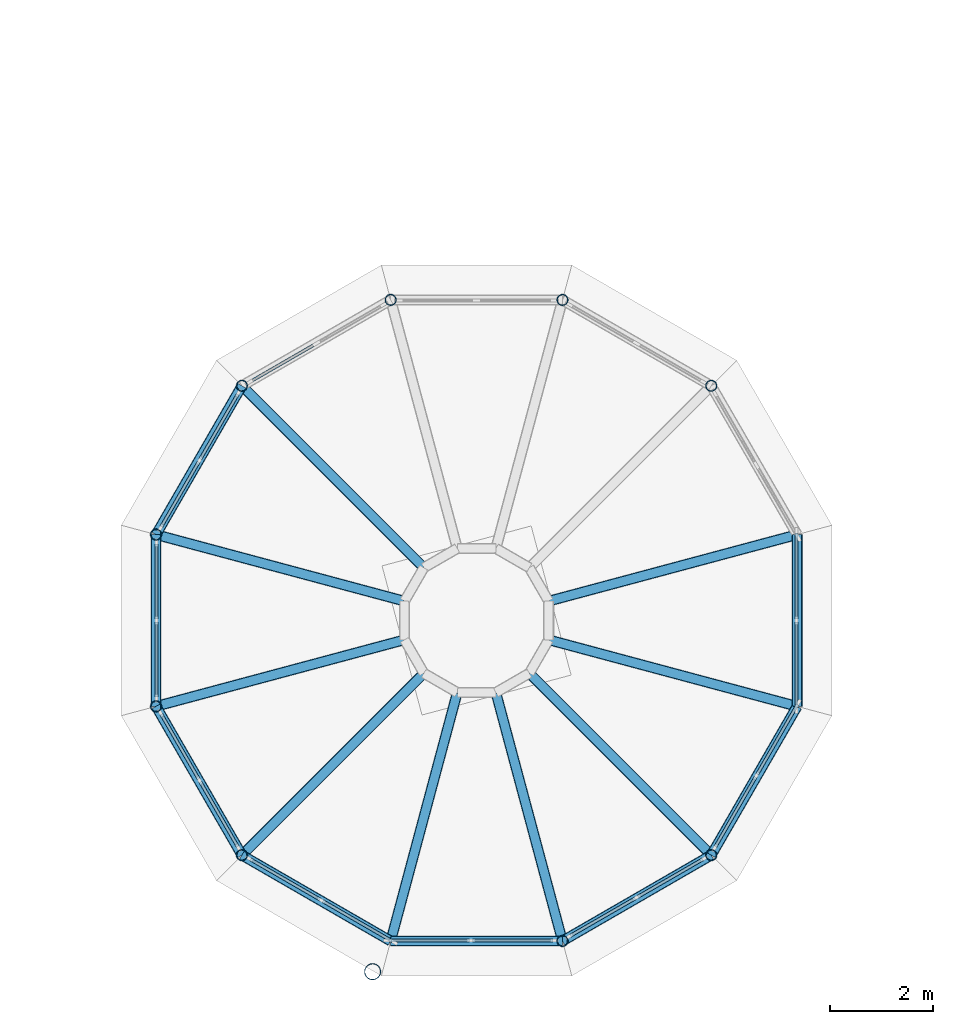
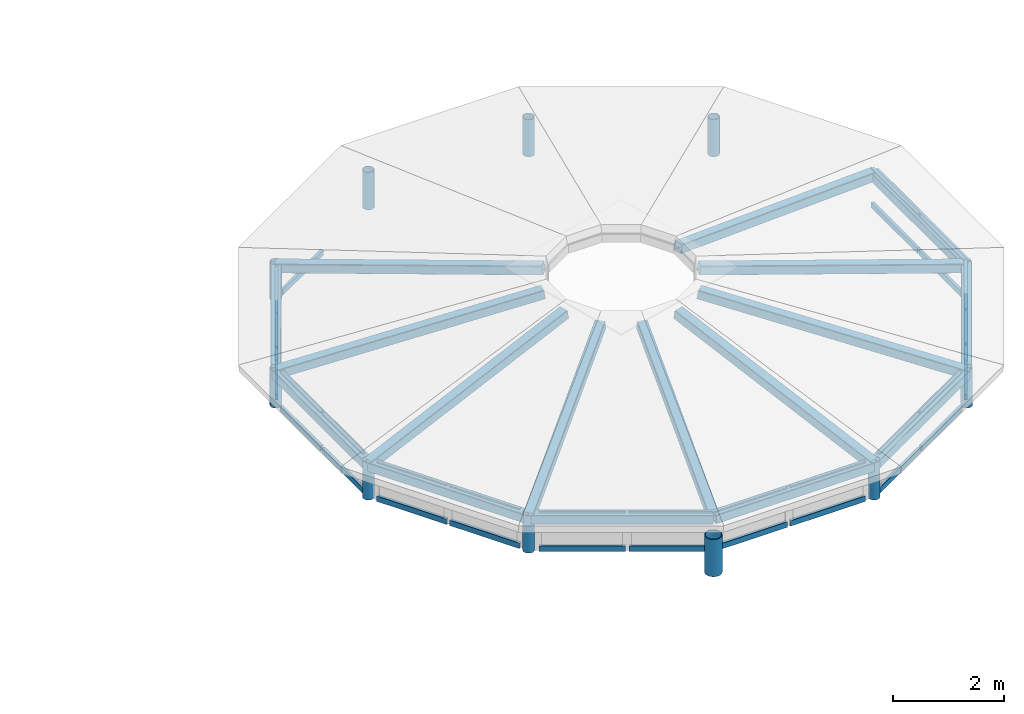
# One storey, part 2 of 18: 50 members, 10 columns, 9 elements without a shape of their own.
"""IFC4 building model written with IfcOpenShell, lengths in metres."""

from ifc_helpers import new_model, si_unit, direction, frame, origin, origin_2d, place, context, subcontext, project, spatial, rectangle, hollow_rectangle, hollow_circle, extrude, material, material_profile, profile_set, type_object, element, aggregate, save


model = new_model("IFC4")

# Units and contexts
model_context = context("Model", 3, precision=1e-05, world=origin(), true_north=direction((0.0, 1.0)))
body_context = subcontext(model_context, "Body", "Model", "MODEL_VIEW")
ifc_project = project(units=[si_unit("LENGTHUNIT", "METRE"), si_unit("AREAUNIT", "SQUARE_METRE"), si_unit("VOLUMEUNIT", "CUBIC_METRE"), si_unit("PLANEANGLEUNIT", "RADIAN"), si_unit("MASSUNIT", "GRAM", prefix="KILO")], contexts=[model_context])

# Site, building, storey
site_placement = place(None, origin())
site = spatial("IfcSite", under=ifc_project, at=site_placement, CompositionType="ELEMENT")
building_placement = place(site_placement, origin())
building = spatial("IfcBuilding", under=site, at=building_placement, Name="Wrenclough Park School", CompositionType="ELEMENT")
storey_placement = place(building_placement, frame((0.0, 0.0, 20.800048828125)))
storey = spatial("IfcBuildingStorey", under=building, at=storey_placement, Name="L05", CompositionType="ELEMENT", Elevation=20.800048828125)

# Columns
ifc_material_1 = material(Name="Structural steel S355", Category="steel")
ifc_material_profile_1 = material_profile(ifc_material_1, hollow_circle(Radius=0.109619140625, WallThickness=0.012451171875, at=origin_2d()), Name="CHS 219.1x12.5")
ifc_profile_set_1 = profile_set([ifc_material_profile_1], Name="Structural steel S355")
column_type_1 = type_object("IfcColumnType", Name="STR-COL-CHS219", PredefinedType="COLUMN", material=ifc_profile_set_1)
for number, where, z_axis, x_axis, name in (
    (1, (160.7607421875, 43.7607421875, 0.0), (0.0, 0.0, 1.0), (-0.707106781187, 0.707106781187, 0.0), "D1-SH L05 column D1SH-02"),
    (2, (157.869384765625, 45.43017578125, 0.0), (0.0, 0.0, 1.0), (-0.965925826289, 0.258819045103, 0.0), "D1-SH L05 column D1SH-03"),
    (3, (154.530517578125, 45.43017578125, 0.0), (0.0, 0.0, 1.0), (-0.965925826289, -0.258819045103, 0.0), "D1-SH L05 column D1SH-04"),
    (4, (151.63916015625, 43.7607421875, 0.0), (0.0, 0.0, 1.0), (-0.707106781187, -0.707106781187, 0.0), "D1-SH L05 column D1SH-05"),
    (5, (149.9697265625, 40.869384765625, 0.0), (0.0, 0.0, 1.0), (-0.258819045103, -0.965925826289, 0.0), "D1-SH L05 column D1SH-06"),
    (6, (149.9697265625, 37.530517578125, 0.0), (0.0, 0.0, 1.0), (0.258819045103, -0.965925826289, 0.0), "D1-SH L05 column D1SH-07"),
    (7, (151.63916015625, 34.63916015625, 0.0), (0.0, 0.0, 1.0), (0.707106781187, -0.707106781187, 0.0), "D1-SH L05 column D1SH-08"),
    (8, (157.869384765625, 32.9697265625, 0.0), (0.0, 0.0, 1.0), (0.965925826289, 0.258819045103, 0.0), "D1-SH L05 column D1SH-10"),
    (9, (160.7607421875, 34.63916015625, 0.0), (0.0, 0.0, 1.0), (0.707106781187, 0.707106781187, 0.0), "D1-SH L05 column D1SH-11"),
):
    element("IfcColumn", number, at=place(storey_placement, frame(where, z_axis=z_axis, x_axis=x_axis)), inside=storey, type_object=column_type_1, Name=name, PredefinedType="COLUMN", context=body_context, shape_type="SweptSolid", body=[
        extrude(hollow_circle(Radius=0.109619140625, WallThickness=0.012451171875, at=origin_2d()), origin(), (0.0, 0.0, 1.0), 0.820068359375),
    ])
ifc_material_profile_2 = material_profile(ifc_material_1, hollow_circle(Radius=0.161865234375, WallThickness=0.01611328125, at=origin_2d()), Name="CHS 323.9x16.0")
ifc_profile_set_2 = profile_set([ifc_material_profile_2], Name="Structural steel S355")
column_type_2 = type_object("IfcColumnType", Name="STR-COL-CHS324", PredefinedType="COLUMN", material=ifc_profile_set_2)
column_placement = place(storey_placement, frame((154.1796875, 32.3740234375, 0.0), z_axis=(0.0, 0.0, 1.0), x_axis=(0.970295726276, -0.2419218956, 0.0)))
element("IfcColumn", 10, at=column_placement, inside=storey, type_object=column_type_2, Name="D1 L05 column D1HR-1-2", PredefinedType="COLUMN", context=body_context, shape_type="SweptSolid", body=[
    extrude(hollow_circle(Radius=0.161865234375, WallThickness=0.01611328125, at=origin_2d()), origin(), (0.0, 0.0, 1.0), 0.820068359375),
])

# Curtain wall, member
ifc_material_2 = material(Name="Thermally broken aluminium and low-e glass curtain wall", Category="aluminium")
curtain_wall_type = type_object("IfcCurtainWallType", Name="ENV-CW-16", PredefinedType="USERDEFINED", material=ifc_material_2)
curtain_wall_1_placement = place(storey_placement, origin())
curtain_wall_1 = element("IfcCurtainWall", 11, at=curtain_wall_1_placement, inside=storey, type_object=curtain_wall_type, Name="D1-SH cylindrical white-glazed stair-head curtain wall 193", ObjectType="CURTAIN WALL", PredefinedType="USERDEFINED")
ifc_material_3 = material(Name="Thermally broken anodised aluminium", Category="aluminium")
ifc_material_profile_3 = material_profile(ifc_material_3, rectangle(XDim=0.06005859375, YDim=0.1201171875, at=origin_2d()), Name="AL TRANSOM 60x120")
ifc_profile_set_3 = profile_set([ifc_material_profile_3], Name="Thermally broken anodised aluminium")
member_type_1 = type_object("IfcMemberType", Name="ENV-CWT-1", PredefinedType="USERDEFINED", material=ifc_profile_set_3)
member_1_placement = place(storey_placement, frame((153.06494140625, 44.5703125, 0.030029296875), z_axis=(-0.866003949776, -0.500037157592, 0.0), x_axis=(0.500037157592, -0.866003949776, 0.0)))
member_1 = element("IfcMember", 12, at=member_1_placement, type_object=member_type_1, Name="CW-16 transom 2.1", ObjectType="TRANSOM", PredefinedType="USERDEFINED", context=body_context, shape_type="SweptSolid", body=[
    extrude(rectangle(XDim=0.06005859375, YDim=0.1201171875, at=origin_2d()), origin(), (0.0, 0.0, 1.0), 1.455078125),
])
aggregate(curtain_wall_1, [member_1])

# Curtain wall, members
curtain_wall_2_placement = place(storey_placement, origin())
curtain_wall_2 = element("IfcCurtainWall", 13, at=curtain_wall_2_placement, inside=storey, type_object=curtain_wall_type, Name="D1-SH cylindrical white-glazed stair-head curtain wall 194", ObjectType="CURTAIN WALL", PredefinedType="USERDEFINED")
member_2_placement = place(storey_placement, frame((151.557373046875, 43.59521484375, 0.030029296875), z_axis=(-0.499964504253, -0.866045896294, 0.0), x_axis=(0.866045896294, -0.499964504253, 0.0)))
member_2 = element("IfcMember", 14, at=member_2_placement, type_object=member_type_1, Name="CW-16 transom 1.1", ObjectType="TRANSOM", PredefinedType="USERDEFINED", context=body_context, shape_type="SweptSolid", body=[
    extrude(rectangle(XDim=0.06005859375, YDim=0.1201171875, at=origin_2d()), origin(), (0.0, 0.0, 1.0), 1.455078125),
])
member_3_placement = place(storey_placement, frame((151.557373046875, 43.59521484375, 0.7900390625), z_axis=(-0.499964504253, -0.866045896294, 0.0), x_axis=(0.866045896294, -0.499964504253, 0.0)))
member_3 = element("IfcMember", 15, at=member_3_placement, type_object=member_type_1, Name="CW-16 transom 1.2", ObjectType="TRANSOM", PredefinedType="USERDEFINED", context=body_context, shape_type="SweptSolid", body=[
    extrude(rectangle(XDim=0.06005859375, YDim=0.1201171875, at=origin_2d()), origin(), (0.0, 0.0, 1.0), 1.455078125),
])
member_4_placement = place(storey_placement, frame((150.7998046875, 42.283203125, 0.030029296875), z_axis=(-0.499964504253, -0.866045896294, 0.0), x_axis=(0.866045896294, -0.499964504253, 0.0)))
member_4 = element("IfcMember", 16, at=member_4_placement, type_object=member_type_1, Name="CW-16 transom 2.1", ObjectType="TRANSOM", PredefinedType="USERDEFINED", context=body_context, shape_type="SweptSolid", body=[
    extrude(rectangle(XDim=0.06005859375, YDim=0.1201171875, at=origin_2d()), origin(), (0.0, 0.0, 1.0), 1.455078125),
])
member_5_placement = place(storey_placement, frame((150.7998046875, 42.283203125, 0.7900390625), z_axis=(-0.499964504253, -0.866045896294, 0.0), x_axis=(0.866045896294, -0.499964504253, 0.0)))
member_5 = element("IfcMember", 17, at=member_5_placement, type_object=member_type_1, Name="CW-16 transom 2.2", ObjectType="TRANSOM", PredefinedType="USERDEFINED", context=body_context, shape_type="SweptSolid", body=[
    extrude(rectangle(XDim=0.06005859375, YDim=0.1201171875, at=origin_2d()), origin(), (0.0, 0.0, 1.0), 1.455078125),
])
aggregate(curtain_wall_2, [member_2, member_3, member_4, member_5])

curtain_wall_3_placement = place(storey_placement, origin())
curtain_wall_3 = element("IfcCurtainWall", 18, at=curtain_wall_3_placement, inside=storey, type_object=curtain_wall_type, Name="D1-SH cylindrical white-glazed stair-head curtain wall 195", ObjectType="CURTAIN WALL", PredefinedType="USERDEFINED")
member_6_placement = place(storey_placement, frame((149.981689453125, 40.6845703125, 0.030029296875), z_axis=(0.0, -1.0, 0.0), x_axis=(1.0, 0.0, 0.0)))
member_6 = element("IfcMember", 19, at=member_6_placement, type_object=member_type_1, Name="CW-16 transom 1.1", ObjectType="TRANSOM", PredefinedType="USERDEFINED", context=body_context, shape_type="SweptSolid", body=[
    extrude(rectangle(XDim=0.06005859375, YDim=0.1201171875, at=origin_2d()), origin(), (0.0, 0.0, 1.0), 1.45458984375),
])
member_7_placement = place(storey_placement, frame((149.981689453125, 40.6845703125, 0.7900390625), z_axis=(0.0, -1.0, 0.0), x_axis=(1.0, 0.0, 0.0)))
member_7 = element("IfcMember", 20, at=member_7_placement, type_object=member_type_1, Name="CW-16 transom 1.2", ObjectType="TRANSOM", PredefinedType="USERDEFINED", context=body_context, shape_type="SweptSolid", body=[
    extrude(rectangle(XDim=0.06005859375, YDim=0.1201171875, at=origin_2d()), origin(), (0.0, 0.0, 1.0), 1.45458984375),
])
member_8_placement = place(storey_placement, frame((149.981689453125, 39.169921875, 0.030029296875), z_axis=(0.0, -1.0, 0.0), x_axis=(1.0, 0.0, 0.0)))
member_8 = element("IfcMember", 21, at=member_8_placement, type_object=member_type_1, Name="CW-16 transom 2.1", ObjectType="TRANSOM", PredefinedType="USERDEFINED", context=body_context, shape_type="SweptSolid", body=[
    extrude(rectangle(XDim=0.06005859375, YDim=0.1201171875, at=origin_2d()), origin(), (0.0, 0.0, 1.0), 1.454345703125),
])
member_9_placement = place(storey_placement, frame((149.981689453125, 39.169921875, 0.7900390625), z_axis=(0.0, -1.0, 0.0), x_axis=(1.0, 0.0, 0.0)))
member_9 = element("IfcMember", 22, at=member_9_placement, type_object=member_type_1, Name="CW-16 transom 2.2", ObjectType="TRANSOM", PredefinedType="USERDEFINED", context=body_context, shape_type="SweptSolid", body=[
    extrude(rectangle(XDim=0.06005859375, YDim=0.1201171875, at=origin_2d()), origin(), (0.0, 0.0, 1.0), 1.454345703125),
])
aggregate(curtain_wall_3, [member_6, member_7, member_8, member_9])

curtain_wall_4_placement = place(storey_placement, origin())
curtain_wall_4 = element("IfcCurtainWall", 23, at=curtain_wall_4_placement, inside=storey, type_object=curtain_wall_type, Name="D1-SH cylindrical white-glazed stair-head curtain wall 196", ObjectType="CURTAIN WALL", PredefinedType="USERDEFINED")
member_10_placement = place(storey_placement, frame((150.072265625, 37.376953125, 0.030029296875), z_axis=(0.500037157592, -0.866003949776, 0.0), x_axis=(0.866003949776, 0.500037157592, 0.0)))
member_10 = element("IfcMember", 24, at=member_10_placement, type_object=member_type_1, Name="CW-16 transom 1.1", ObjectType="TRANSOM", PredefinedType="USERDEFINED", context=body_context, shape_type="SweptSolid", body=[
    extrude(rectangle(XDim=0.06005859375, YDim=0.1201171875, at=origin_2d()), origin(), (0.0, 0.0, 1.0), 1.455078125),
])
member_11_placement = place(storey_placement, frame((150.072265625, 37.376953125, 0.7900390625), z_axis=(0.500037157592, -0.866003949776, 0.0), x_axis=(0.866003949776, 0.500037157592, 0.0)))
member_11 = element("IfcMember", 25, at=member_11_placement, type_object=member_type_1, Name="CW-16 transom 1.2", ObjectType="TRANSOM", PredefinedType="USERDEFINED", context=body_context, shape_type="SweptSolid", body=[
    extrude(rectangle(XDim=0.06005859375, YDim=0.1201171875, at=origin_2d()), origin(), (0.0, 0.0, 1.0), 1.455078125),
])
member_12_placement = place(storey_placement, frame((150.829833984375, 36.06494140625, 0.030029296875), z_axis=(0.500037157592, -0.866003949776, 0.0), x_axis=(0.866003949776, 0.500037157592, 0.0)))
member_12 = element("IfcMember", 26, at=member_12_placement, type_object=member_type_1, Name="CW-16 transom 2.1", ObjectType="TRANSOM", PredefinedType="USERDEFINED", context=body_context, shape_type="SweptSolid", body=[
    extrude(rectangle(XDim=0.06005859375, YDim=0.1201171875, at=origin_2d()), origin(), (0.0, 0.0, 1.0), 1.455078125),
])
member_13_placement = place(storey_placement, frame((150.829833984375, 36.06494140625, 0.7900390625), z_axis=(0.500037157592, -0.866003949776, 0.0), x_axis=(0.866003949776, 0.500037157592, 0.0)))
member_13 = element("IfcMember", 27, at=member_13_placement, type_object=member_type_1, Name="CW-16 transom 2.2", ObjectType="TRANSOM", PredefinedType="USERDEFINED", context=body_context, shape_type="SweptSolid", body=[
    extrude(rectangle(XDim=0.06005859375, YDim=0.1201171875, at=origin_2d()), origin(), (0.0, 0.0, 1.0), 1.455078125),
])
aggregate(curtain_wall_4, [member_10, member_11, member_12, member_13])

curtain_wall_5_placement = place(storey_placement, origin())
curtain_wall_5 = element("IfcCurtainWall", 28, at=curtain_wall_5_placement, inside=storey, type_object=curtain_wall_type, Name="D1-SH cylindrical white-glazed stair-head curtain wall 197", ObjectType="CURTAIN WALL", PredefinedType="USERDEFINED")
member_14_placement = place(storey_placement, frame((151.804931640625, 34.557373046875, 0.030029296875), z_axis=(0.866003425329, -0.50003806587, 0.0), x_axis=(0.50003806587, 0.866003425329, 0.0)))
member_14 = element("IfcMember", 29, at=member_14_placement, type_object=member_type_1, Name="CW-16 transom 1.1", ObjectType="TRANSOM", PredefinedType="USERDEFINED", context=body_context, shape_type="SweptSolid", body=[
    extrude(rectangle(XDim=0.06005859375, YDim=0.1201171875, at=origin_2d()), origin(), (0.0, 0.0, 1.0), 1.5625),
])
member_15_placement = place(storey_placement, frame((151.804931640625, 34.557373046875, 0.7900390625), z_axis=(0.866003425329, -0.50003806587, 0.0), x_axis=(0.50003806587, 0.866003425329, 0.0)))
member_15 = element("IfcMember", 30, at=member_15_placement, type_object=member_type_1, Name="CW-16 transom 1.2", ObjectType="TRANSOM", PredefinedType="USERDEFINED", context=body_context, shape_type="SweptSolid", body=[
    extrude(rectangle(XDim=0.06005859375, YDim=0.1201171875, at=origin_2d()), origin(), (0.0, 0.0, 1.0), 1.5625),
])
member_16_placement = place(storey_placement, frame((153.2099609375, 33.74609375, 0.030029296875), z_axis=(0.866003425329, -0.50003806587, 0.0), x_axis=(0.50003806587, 0.866003425329, 0.0)))
member_16 = element("IfcMember", 31, at=member_16_placement, type_object=member_type_1, Name="CW-16 transom 2.1", ObjectType="TRANSOM", PredefinedType="USERDEFINED", context=body_context, shape_type="SweptSolid", body=[
    extrude(rectangle(XDim=0.06005859375, YDim=0.1201171875, at=origin_2d()), origin(), (0.0, 0.0, 1.0), 1.5625),
])
member_17_placement = place(storey_placement, frame((153.2099609375, 33.74609375, 0.7900390625), z_axis=(0.866003425329, -0.50003806587, 0.0), x_axis=(0.50003806587, 0.866003425329, 0.0)))
member_17 = element("IfcMember", 32, at=member_17_placement, type_object=member_type_1, Name="CW-16 transom 2.2", ObjectType="TRANSOM", PredefinedType="USERDEFINED", context=body_context, shape_type="SweptSolid", body=[
    extrude(rectangle(XDim=0.06005859375, YDim=0.1201171875, at=origin_2d()), origin(), (0.0, 0.0, 1.0), 1.5625),
])
aggregate(curtain_wall_5, [member_14, member_15, member_16, member_17])

curtain_wall_6_placement = place(storey_placement, origin())
curtain_wall_6 = element("IfcCurtainWall", 33, at=curtain_wall_6_placement, inside=storey, type_object=curtain_wall_type, Name="D1-SH cylindrical white-glazed stair-head curtain wall 198", ObjectType="CURTAIN WALL", PredefinedType="USERDEFINED")
member_18_placement = place(storey_placement, frame((154.5, 32.981689453125, 0.030029296875), z_axis=(1.0, 0.0, 0.0), x_axis=(0.0, 1.0, 0.0)))
member_18 = element("IfcMember", 34, at=member_18_placement, type_object=member_type_1, Name="CW-16 transom 1.1", ObjectType="TRANSOM", PredefinedType="USERDEFINED", context=body_context, shape_type="SweptSolid", body=[
    extrude(rectangle(XDim=0.06005859375, YDim=0.1201171875, at=origin_2d()), origin(), (0.0, 0.0, 1.0), 1.562255859375),
])
member_19_placement = place(storey_placement, frame((154.5, 32.981689453125, 0.7900390625), z_axis=(1.0, 0.0, 0.0), x_axis=(0.0, 1.0, 0.0)))
member_19 = element("IfcMember", 35, at=member_19_placement, type_object=member_type_1, Name="CW-16 transom 1.2", ObjectType="TRANSOM", PredefinedType="USERDEFINED", context=body_context, shape_type="SweptSolid", body=[
    extrude(rectangle(XDim=0.06005859375, YDim=0.1201171875, at=origin_2d()), origin(), (0.0, 0.0, 1.0), 1.562255859375),
])
member_20_placement = place(storey_placement, frame((156.122314453125, 32.981689453125, 0.030029296875), z_axis=(1.0, 0.0, 0.0), x_axis=(0.0, 1.0, 0.0)))
member_20 = element("IfcMember", 36, at=member_20_placement, type_object=member_type_1, Name="CW-16 transom 2.1", ObjectType="TRANSOM", PredefinedType="USERDEFINED", context=body_context, shape_type="SweptSolid", body=[
    extrude(rectangle(XDim=0.06005859375, YDim=0.1201171875, at=origin_2d()), origin(), (0.0, 0.0, 1.0), 1.562255859375),
])
member_21_placement = place(storey_placement, frame((156.122314453125, 32.981689453125, 0.7900390625), z_axis=(1.0, 0.0, 0.0), x_axis=(0.0, 1.0, 0.0)))
member_21 = element("IfcMember", 37, at=member_21_placement, type_object=member_type_1, Name="CW-16 transom 2.2", ObjectType="TRANSOM", PredefinedType="USERDEFINED", context=body_context, shape_type="SweptSolid", body=[
    extrude(rectangle(XDim=0.06005859375, YDim=0.1201171875, at=origin_2d()), origin(), (0.0, 0.0, 1.0), 1.562255859375),
])
aggregate(curtain_wall_6, [member_18, member_19, member_20, member_21])

curtain_wall_7_placement = place(storey_placement, origin())
curtain_wall_7 = element("IfcCurtainWall", 38, at=curtain_wall_7_placement, inside=storey, type_object=curtain_wall_type, Name="D1-SH cylindrical white-glazed stair-head curtain wall 199", ObjectType="CURTAIN WALL", PredefinedType="USERDEFINED")
member_22_placement = place(storey_placement, frame((158.02294921875, 33.072265625, 0.030029296875), z_axis=(0.866045896294, 0.499964504253, 0.0), x_axis=(-0.499964504253, 0.866045896294, 0.0)))
member_22 = element("IfcMember", 39, at=member_22_placement, type_object=member_type_1, Name="CW-16 transom 1.1", ObjectType="TRANSOM", PredefinedType="USERDEFINED", context=body_context, shape_type="SweptSolid", body=[
    extrude(rectangle(XDim=0.06005859375, YDim=0.1201171875, at=origin_2d()), origin(), (0.0, 0.0, 1.0), 1.455078125),
])
member_23_placement = place(storey_placement, frame((158.02294921875, 33.072265625, 0.7900390625), z_axis=(0.866045896294, 0.499964504253, 0.0), x_axis=(-0.499964504253, 0.866045896294, 0.0)))
member_23 = element("IfcMember", 40, at=member_23_placement, type_object=member_type_1, Name="CW-16 transom 1.2", ObjectType="TRANSOM", PredefinedType="USERDEFINED", context=body_context, shape_type="SweptSolid", body=[
    extrude(rectangle(XDim=0.06005859375, YDim=0.1201171875, at=origin_2d()), origin(), (0.0, 0.0, 1.0), 1.455078125),
])
member_24_placement = place(storey_placement, frame((159.3349609375, 33.829833984375, 0.030029296875), z_axis=(0.866045896294, 0.499964504253, 0.0), x_axis=(-0.499964504253, 0.866045896294, 0.0)))
member_24 = element("IfcMember", 41, at=member_24_placement, type_object=member_type_1, Name="CW-16 transom 2.1", ObjectType="TRANSOM", PredefinedType="USERDEFINED", context=body_context, shape_type="SweptSolid", body=[
    extrude(rectangle(XDim=0.06005859375, YDim=0.1201171875, at=origin_2d()), origin(), (0.0, 0.0, 1.0), 1.455078125),
])
member_25_placement = place(storey_placement, frame((159.3349609375, 33.829833984375, 0.7900390625), z_axis=(0.866045896294, 0.499964504253, 0.0), x_axis=(-0.499964504253, 0.866045896294, 0.0)))
member_25 = element("IfcMember", 42, at=member_25_placement, type_object=member_type_1, Name="CW-16 transom 2.2", ObjectType="TRANSOM", PredefinedType="USERDEFINED", context=body_context, shape_type="SweptSolid", body=[
    extrude(rectangle(XDim=0.06005859375, YDim=0.1201171875, at=origin_2d()), origin(), (0.0, 0.0, 1.0), 1.455078125),
])
aggregate(curtain_wall_7, [member_22, member_23, member_24, member_25])

curtain_wall_8_placement = place(storey_placement, origin())
curtain_wall_8 = element("IfcCurtainWall", 43, at=curtain_wall_8_placement, inside=storey, type_object=curtain_wall_type, Name="D1-SH cylindrical white-glazed stair-head curtain wall 200", ObjectType="CURTAIN WALL", PredefinedType="USERDEFINED")
member_26_placement = place(storey_placement, frame((160.8427734375, 34.804931640625, 0.030029296875), z_axis=(0.50003806587, 0.866003425329, 0.0), x_axis=(-0.866003425329, 0.50003806587, 0.0)))
member_26 = element("IfcMember", 44, at=member_26_placement, type_object=member_type_1, Name="CW-16 transom 1.1", ObjectType="TRANSOM", PredefinedType="USERDEFINED", context=body_context, shape_type="SweptSolid", body=[
    extrude(rectangle(XDim=0.06005859375, YDim=0.1201171875, at=origin_2d()), origin(), (0.0, 0.0, 1.0), 1.5625),
])
member_27_placement = place(storey_placement, frame((160.8427734375, 34.804931640625, 0.7900390625), z_axis=(0.50003806587, 0.866003425329, 0.0), x_axis=(-0.866003425329, 0.50003806587, 0.0)))
member_27 = element("IfcMember", 45, at=member_27_placement, type_object=member_type_1, Name="CW-16 transom 1.2", ObjectType="TRANSOM", PredefinedType="USERDEFINED", context=body_context, shape_type="SweptSolid", body=[
    extrude(rectangle(XDim=0.06005859375, YDim=0.1201171875, at=origin_2d()), origin(), (0.0, 0.0, 1.0), 1.5625),
])
member_28_placement = place(storey_placement, frame((161.654052734375, 36.2099609375, 0.030029296875), z_axis=(0.50003806587, 0.866003425329, 0.0), x_axis=(-0.866003425329, 0.50003806587, 0.0)))
member_28 = element("IfcMember", 46, at=member_28_placement, type_object=member_type_1, Name="CW-16 transom 2.1", ObjectType="TRANSOM", PredefinedType="USERDEFINED", context=body_context, shape_type="SweptSolid", body=[
    extrude(rectangle(XDim=0.06005859375, YDim=0.1201171875, at=origin_2d()), origin(), (0.0, 0.0, 1.0), 1.5625),
])
member_29_placement = place(storey_placement, frame((161.654052734375, 36.2099609375, 0.7900390625), z_axis=(0.50003806587, 0.866003425329, 0.0), x_axis=(-0.866003425329, 0.50003806587, 0.0)))
member_29 = element("IfcMember", 47, at=member_29_placement, type_object=member_type_1, Name="CW-16 transom 2.2", ObjectType="TRANSOM", PredefinedType="USERDEFINED", context=body_context, shape_type="SweptSolid", body=[
    extrude(rectangle(XDim=0.06005859375, YDim=0.1201171875, at=origin_2d()), origin(), (0.0, 0.0, 1.0), 1.5625),
])
aggregate(curtain_wall_8, [member_26, member_27, member_28, member_29])

curtain_wall_9_placement = place(storey_placement, origin())
curtain_wall_9 = element("IfcCurtainWall", 48, at=curtain_wall_9_placement, inside=storey, type_object=curtain_wall_type, Name="D1-SH cylindrical white-glazed stair-head curtain wall 201", ObjectType="CURTAIN WALL", PredefinedType="USERDEFINED")
member_30_placement = place(storey_placement, frame((162.418212890625, 37.5, 0.030029296875), z_axis=(0.0, 1.0, 0.0), x_axis=(-1.0, 0.0, 0.0)))
member_30 = element("IfcMember", 49, at=member_30_placement, type_object=member_type_1, Name="CW-16 transom 1.1", ObjectType="TRANSOM", PredefinedType="USERDEFINED", context=body_context, shape_type="SweptSolid", body=[
    extrude(rectangle(XDim=0.06005859375, YDim=0.1201171875, at=origin_2d()), origin(), (0.0, 0.0, 1.0), 1.669921875),
])
member_31_placement = place(storey_placement, frame((162.418212890625, 37.5, 0.7900390625), z_axis=(0.0, 1.0, 0.0), x_axis=(-1.0, 0.0, 0.0)))
member_31 = element("IfcMember", 50, at=member_31_placement, type_object=member_type_1, Name="CW-16 transom 1.2", ObjectType="TRANSOM", PredefinedType="USERDEFINED", context=body_context, shape_type="SweptSolid", body=[
    extrude(rectangle(XDim=0.06005859375, YDim=0.1201171875, at=origin_2d()), origin(), (0.0, 0.0, 1.0), 1.669921875),
])
member_32_placement = place(storey_placement, frame((162.418212890625, 39.22998046875, 0.030029296875), z_axis=(0.0, 1.0, 0.0), x_axis=(-1.0, 0.0, 0.0)))
member_32 = element("IfcMember", 51, at=member_32_placement, type_object=member_type_1, Name="CW-16 transom 2.1", ObjectType="TRANSOM", PredefinedType="USERDEFINED", context=body_context, shape_type="SweptSolid", body=[
    extrude(rectangle(XDim=0.06005859375, YDim=0.1201171875, at=origin_2d()), origin(), (0.0, 0.0, 1.0), 1.669921875),
])
member_33_placement = place(storey_placement, frame((162.418212890625, 39.22998046875, 0.7900390625), z_axis=(0.0, 1.0, 0.0), x_axis=(-1.0, 0.0, 0.0)))
member_33 = element("IfcMember", 52, at=member_33_placement, type_object=member_type_1, Name="CW-16 transom 2.2", ObjectType="TRANSOM", PredefinedType="USERDEFINED", context=body_context, shape_type="SweptSolid", body=[
    extrude(rectangle(XDim=0.06005859375, YDim=0.1201171875, at=origin_2d()), origin(), (0.0, 0.0, 1.0), 1.669921875),
])
aggregate(curtain_wall_9, [member_30, member_31, member_32, member_33])

# Members
ifc_material_profile_4 = material_profile(ifc_material_1, hollow_rectangle(XDim=0.199951171875, YDim=0.199951171875, WallThickness=0.012451171875, InnerFilletRadius=0.012451171875, OuterFilletRadius=0.018798828125, at=origin_2d()), Name="SHS 200x200x12.5")
ifc_profile_set_4 = profile_set([ifc_material_profile_4], Name="Structural steel S355")
member_type_2 = type_object("IfcMemberType", Name="STR-MEM-LANTERN", PredefinedType="MEMBER", material=ifc_profile_set_4)
member_34_placement = place(storey_placement, frame((162.43017578125, 40.869384765625, 0.719970703125), z_axis=(-0.951946366321, -0.25509390799, 0.16948514317), x_axis=(0.258838592599, -0.965920588341, 0.0)))
element("IfcMember", 53, at=member_34_placement, inside=storey, type_object=member_type_2, Name="D1-SH radial lantern rafter 1", PredefinedType="MEMBER", context=body_context, shape_type="SweptSolid", body=[
    extrude(hollow_rectangle(XDim=0.199951171875, YDim=0.199951171875, WallThickness=0.012451171875, InnerFilletRadius=0.012451171875, OuterFilletRadius=0.018798828125, at=origin_2d()), origin(), (0.0, 0.0, 1.0), 5.073486328125),
])
member_35_placement = place(storey_placement, frame((151.63916015625, 43.7607421875, 0.719970703125), z_axis=(-0.500024172624, -0.866011447264, 0.0), x_axis=(0.866011447264, -0.500024172624, 0.0)))
element("IfcMember", 54, at=member_35_placement, inside=storey, type_object=member_type_2, Name="D1-SH cylindrical eave ring member 5", PredefinedType="MEMBER", context=body_context, shape_type="SweptSolid", body=[
    extrude(hollow_rectangle(XDim=0.199951171875, YDim=0.199951171875, WallThickness=0.012451171875, InnerFilletRadius=0.012451171875, OuterFilletRadius=0.018798828125, at=origin_2d()), origin(), (0.0, 0.0, 1.0), 3.338623046875),
])
member_36_placement = place(storey_placement, frame((151.63916015625, 43.7607421875, 0.719970703125), z_axis=(0.696900935218, -0.696852813347, 0.169485229515), x_axis=(0.707082366624, 0.707131194907, 0.0)))
element("IfcMember", 55, at=member_36_placement, inside=storey, type_object=member_type_2, Name="D1-SH radial lantern rafter 5", PredefinedType="MEMBER", context=body_context, shape_type="SweptSolid", body=[
    extrude(hollow_rectangle(XDim=0.199951171875, YDim=0.199951171875, WallThickness=0.012451171875, InnerFilletRadius=0.012451171875, OuterFilletRadius=0.018798828125, at=origin_2d()), origin(), (0.0, 0.0, 1.0), 5.073486328125),
])
member_37_placement = place(storey_placement, frame((149.9697265625, 40.869384765625, 0.719970703125), z_axis=(0.0, -1.0, 0.0), x_axis=(1.0, 0.0, 0.0)))
element("IfcMember", 56, at=member_37_placement, inside=storey, type_object=member_type_2, Name="D1-SH cylindrical eave ring member 6", PredefinedType="MEMBER", context=body_context, shape_type="SweptSolid", body=[
    extrude(hollow_rectangle(XDim=0.199951171875, YDim=0.199951171875, WallThickness=0.012451171875, InnerFilletRadius=0.012451171875, OuterFilletRadius=0.018798828125, at=origin_2d()), origin(), (0.0, 0.0, 1.0), 3.3388671875),
])
member_38_placement = place(storey_placement, frame((149.9697265625, 40.869384765625, 0.719970703125), z_axis=(0.951946366321, -0.25509390799, 0.16948514317), x_axis=(0.258838592599, 0.965920588341, 0.0)))
element("IfcMember", 57, at=member_38_placement, inside=storey, type_object=member_type_2, Name="D1-SH radial lantern rafter 6", PredefinedType="MEMBER", context=body_context, shape_type="SweptSolid", body=[
    extrude(hollow_rectangle(XDim=0.199951171875, YDim=0.199951171875, WallThickness=0.012451171875, InnerFilletRadius=0.012451171875, OuterFilletRadius=0.018798828125, at=origin_2d()), origin(), (0.0, 0.0, 1.0), 5.073486328125),
])
member_39_placement = place(storey_placement, frame((149.9697265625, 37.530517578125, 0.719970703125), z_axis=(0.500024172624, -0.866011447264, 0.0), x_axis=(0.866011447264, 0.500024172624, 0.0)))
element("IfcMember", 58, at=member_39_placement, inside=storey, type_object=member_type_2, Name="D1-SH cylindrical eave ring member 7", PredefinedType="MEMBER", context=body_context, shape_type="SweptSolid", body=[
    extrude(hollow_rectangle(XDim=0.199951171875, YDim=0.199951171875, WallThickness=0.012451171875, InnerFilletRadius=0.012451171875, OuterFilletRadius=0.018798828125, at=origin_2d()), origin(), (0.0, 0.0, 1.0), 3.338623046875),
])
member_40_placement = place(storey_placement, frame((149.9697265625, 37.530517578125, 0.719970703125), z_axis=(0.951946366321, 0.25509390799, 0.16948514317), x_axis=(-0.258838592599, 0.965920588341, 0.0)))
element("IfcMember", 59, at=member_40_placement, inside=storey, type_object=member_type_2, Name="D1-SH radial lantern rafter 7", PredefinedType="MEMBER", context=body_context, shape_type="SweptSolid", body=[
    extrude(hollow_rectangle(XDim=0.199951171875, YDim=0.199951171875, WallThickness=0.012451171875, InnerFilletRadius=0.012451171875, OuterFilletRadius=0.018798828125, at=origin_2d()), origin(), (0.0, 0.0, 1.0), 5.073486328125),
])
member_41_placement = place(storey_placement, frame((151.63916015625, 34.63916015625, 0.719970703125), z_axis=(0.866011447264, -0.500024172624, 0.0), x_axis=(0.500024172624, 0.866011447264, 0.0)))
element("IfcMember", 60, at=member_41_placement, inside=storey, type_object=member_type_2, Name="D1-SH cylindrical eave ring member 8", PredefinedType="MEMBER", context=body_context, shape_type="SweptSolid", body=[
    extrude(hollow_rectangle(XDim=0.199951171875, YDim=0.199951171875, WallThickness=0.012451171875, InnerFilletRadius=0.012451171875, OuterFilletRadius=0.018798828125, at=origin_2d()), origin(), (0.0, 0.0, 1.0), 3.338623046875),
])
member_42_placement = place(storey_placement, frame((151.63916015625, 34.63916015625, 0.719970703125), z_axis=(0.696877565807, 0.696877565807, 0.16947954611), x_axis=(-0.707106781187, 0.707106781187, 0.0)))
element("IfcMember", 61, at=member_42_placement, inside=storey, type_object=member_type_2, Name="D1-SH radial lantern rafter 8", PredefinedType="MEMBER", context=body_context, shape_type="SweptSolid", body=[
    extrude(hollow_rectangle(XDim=0.199951171875, YDim=0.199951171875, WallThickness=0.012451171875, InnerFilletRadius=0.012451171875, OuterFilletRadius=0.018798828125, at=origin_2d()), origin(), (0.0, 0.0, 1.0), 5.073486328125),
])
member_43_placement = place(storey_placement, frame((154.530517578125, 32.9697265625, 0.719970703125), z_axis=(1.0, 0.0, 0.0), x_axis=(0.0, 1.0, 0.0)))
element("IfcMember", 62, at=member_43_placement, inside=storey, type_object=member_type_2, Name="D1-SH cylindrical eave ring member 9", PredefinedType="MEMBER", context=body_context, shape_type="SweptSolid", body=[
    extrude(hollow_rectangle(XDim=0.199951171875, YDim=0.199951171875, WallThickness=0.012451171875, InnerFilletRadius=0.012451171875, OuterFilletRadius=0.018798828125, at=origin_2d()), origin(), (0.0, 0.0, 1.0), 3.3388671875),
])
member_44_placement = place(storey_placement, frame((154.530517578125, 32.9697265625, 0.719970703125), z_axis=(0.25509390799, 0.951946366321, 0.16948514317), x_axis=(-0.965920588341, 0.258838592599, 0.0)))
element("IfcMember", 63, at=member_44_placement, inside=storey, type_object=member_type_2, Name="D1-SH radial lantern rafter 9", PredefinedType="MEMBER", context=body_context, shape_type="SweptSolid", body=[
    extrude(hollow_rectangle(XDim=0.199951171875, YDim=0.199951171875, WallThickness=0.012451171875, InnerFilletRadius=0.012451171875, OuterFilletRadius=0.018798828125, at=origin_2d()), origin(), (0.0, 0.0, 1.0), 5.073486328125),
])
member_45_placement = place(storey_placement, frame((157.869384765625, 32.9697265625, 0.719970703125), z_axis=(0.866011447264, 0.500024172624, 0.0), x_axis=(-0.500024172624, 0.866011447264, 0.0)))
element("IfcMember", 64, at=member_45_placement, inside=storey, type_object=member_type_2, Name="D1-SH cylindrical eave ring member 10", PredefinedType="MEMBER", context=body_context, shape_type="SweptSolid", body=[
    extrude(hollow_rectangle(XDim=0.199951171875, YDim=0.199951171875, WallThickness=0.012451171875, InnerFilletRadius=0.012451171875, OuterFilletRadius=0.018798828125, at=origin_2d()), origin(), (0.0, 0.0, 1.0), 3.338623046875),
])
member_46_placement = place(storey_placement, frame((157.869384765625, 32.9697265625, 0.719970703125), z_axis=(-0.25509390799, 0.951946366321, 0.16948514317), x_axis=(-0.965920588341, -0.258838592599, 0.0)))
element("IfcMember", 65, at=member_46_placement, inside=storey, type_object=member_type_2, Name="D1-SH radial lantern rafter 10", PredefinedType="MEMBER", context=body_context, shape_type="SweptSolid", body=[
    extrude(hollow_rectangle(XDim=0.199951171875, YDim=0.199951171875, WallThickness=0.012451171875, InnerFilletRadius=0.012451171875, OuterFilletRadius=0.018798828125, at=origin_2d()), origin(), (0.0, 0.0, 1.0), 5.073486328125),
])
member_47_placement = place(storey_placement, frame((160.7607421875, 34.63916015625, 0.719970703125), z_axis=(0.500024172624, 0.866011447264, 0.0), x_axis=(-0.866011447264, 0.500024172624, 0.0)))
element("IfcMember", 66, at=member_47_placement, inside=storey, type_object=member_type_2, Name="D1-SH cylindrical eave ring member 11", PredefinedType="MEMBER", context=body_context, shape_type="SweptSolid", body=[
    extrude(hollow_rectangle(XDim=0.199951171875, YDim=0.199951171875, WallThickness=0.012451171875, InnerFilletRadius=0.012451171875, OuterFilletRadius=0.018798828125, at=origin_2d()), origin(), (0.0, 0.0, 1.0), 3.338623046875),
])
member_48_placement = place(storey_placement, frame((160.7607421875, 34.63916015625, 0.719970703125), z_axis=(-0.696852813347, 0.696900935218, 0.169485229515), x_axis=(-0.707131194907, -0.707082366624, 0.0)))
element("IfcMember", 67, at=member_48_placement, inside=storey, type_object=member_type_2, Name="D1-SH radial lantern rafter 11", PredefinedType="MEMBER", context=body_context, shape_type="SweptSolid", body=[
    extrude(hollow_rectangle(XDim=0.199951171875, YDim=0.199951171875, WallThickness=0.012451171875, InnerFilletRadius=0.012451171875, OuterFilletRadius=0.018798828125, at=origin_2d()), origin(), (0.0, 0.0, 1.0), 5.073486328125),
])
member_49_placement = place(storey_placement, frame((162.43017578125, 37.530517578125, 0.719970703125), z_axis=(0.0, 1.0, 0.0), x_axis=(-1.0, 0.0, 0.0)))
element("IfcMember", 68, at=member_49_placement, inside=storey, type_object=member_type_2, Name="D1-SH cylindrical eave ring member 12", PredefinedType="MEMBER", context=body_context, shape_type="SweptSolid", body=[
    extrude(hollow_rectangle(XDim=0.199951171875, YDim=0.199951171875, WallThickness=0.012451171875, InnerFilletRadius=0.012451171875, OuterFilletRadius=0.018798828125, at=origin_2d()), origin(), (0.0, 0.0, 1.0), 3.3388671875),
])
member_50_placement = place(storey_placement, frame((162.43017578125, 37.530517578125, 0.719970703125), z_axis=(-0.951946366321, 0.25509390799, 0.16948514317), x_axis=(-0.258838592599, -0.965920588341, 0.0)))
element("IfcMember", 69, at=member_50_placement, inside=storey, type_object=member_type_2, Name="D1-SH radial lantern rafter 12", PredefinedType="MEMBER", context=body_context, shape_type="SweptSolid", body=[
    extrude(hollow_rectangle(XDim=0.199951171875, YDim=0.199951171875, WallThickness=0.012451171875, InnerFilletRadius=0.012451171875, OuterFilletRadius=0.018798828125, at=origin_2d()), origin(), (0.0, 0.0, 1.0), 5.073486328125),
])

save(model, "model.ifc")
